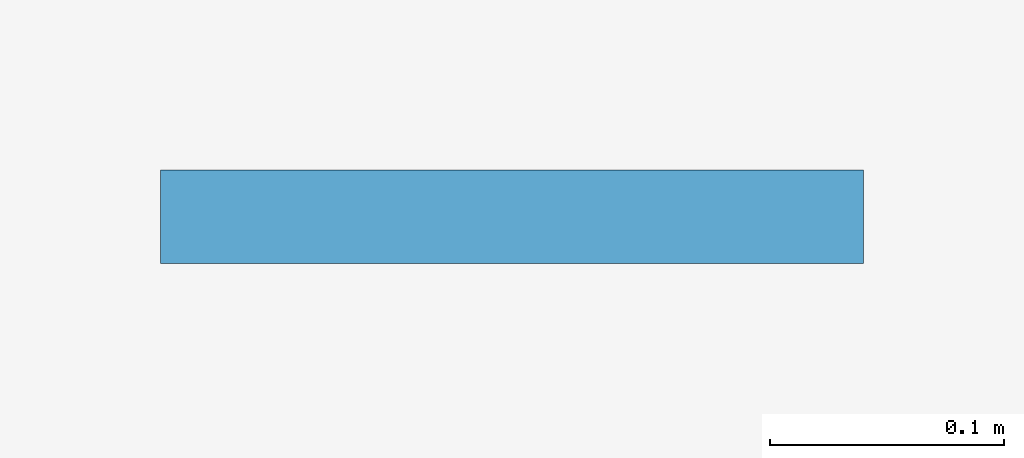
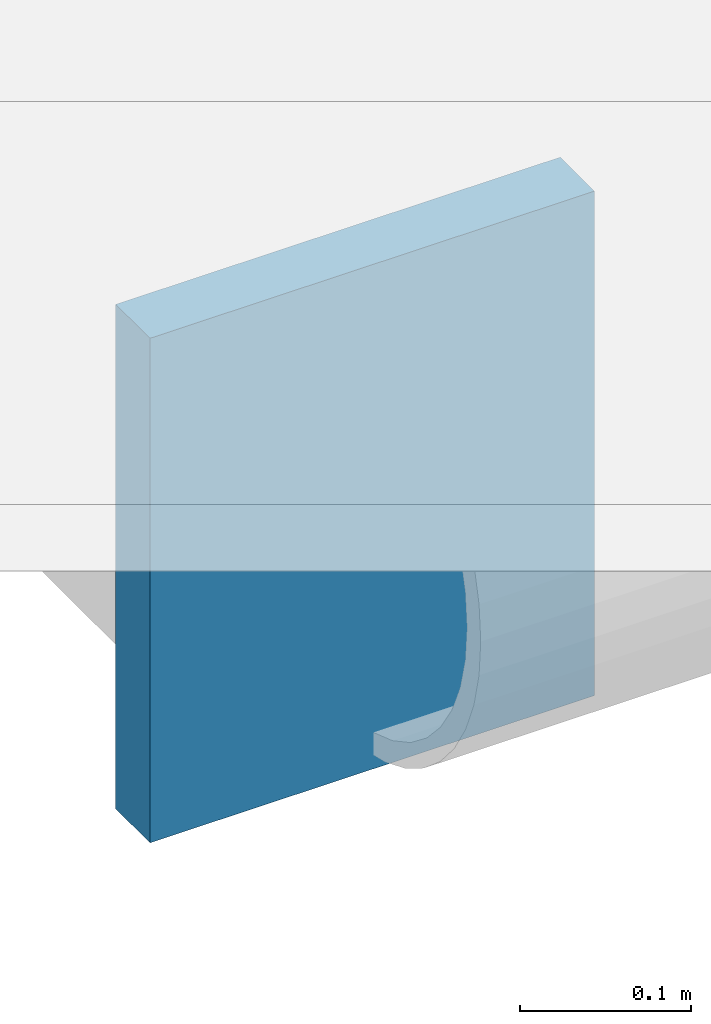
# One storey, part 19 of 28: 1 plate.
"""IFC4 building model written with IfcOpenShell, lengths in metres."""

from ifc_helpers import new_model, si_unit, direction, frame, origin, origin_2d, place, context, subcontext, project, spatial, rectangle, extrude, material, layer, layer_set, type_object, element, save


model = new_model("IFC4")

# Units and contexts
model_context = context("Model", 3, precision=1e-05, world=origin(), true_north=direction((0.0, 1.0)))
body_context = subcontext(model_context, "Body", "Model", "MODEL_VIEW")
ifc_project = project(units=[si_unit("LENGTHUNIT", "METRE"), si_unit("AREAUNIT", "SQUARE_METRE"), si_unit("VOLUMEUNIT", "CUBIC_METRE"), si_unit("PLANEANGLEUNIT", "RADIAN"), si_unit("MASSUNIT", "GRAM", prefix="KILO"), si_unit("THERMODYNAMICTEMPERATUREUNIT", "KELVIN"), si_unit("POWERUNIT", "WATT")], contexts=[model_context])

# Site, building, storey
site_placement = place(None, origin())
site = spatial("IfcSite", under=ifc_project, at=site_placement, CompositionType="ELEMENT")
building_placement = place(site_placement, origin())
building = spatial("IfcBuilding", under=site, at=building_placement, Name="Svarakhadi Broadcast Tower", CompositionType="ELEMENT")
storey_placement = place(building_placement, frame((0.0, 0.0, 134.39990234375)))
storey = spatial("IfcBuildingStorey", under=building, at=storey_placement, Name="L32", CompositionType="ELEMENT", Elevation=134.39990234375)

# Plate
ifc_material = material(Name="Steel S460ML (IS 2062 E450BR)", Category="steel")
ifc_layer = layer(ifc_material, 0.028076171875)
ifc_layer_set = layer_set([ifc_layer], Name="Steel S460ML (IS 2062 E450BR)")
plate_type = type_object("IfcPlateType", Name="Cap_Plate_CP02", PredefinedType="USERDEFINED", material=ifc_layer_set)
plate_placement = place(storey_placement, frame((-1.800048828125, 29.135009765625, -0.55517578125), z_axis=(0.0, 0.0, 1.0), x_axis=(1.0, 0.0, 0.0)))
element("IfcPlate", 1, at=plate_placement, inside=storey, type_object=plate_type, Name="L32 Balcony Spandrel End Cap Plate 2F-A", ObjectType="FLANGE_PLATE", PredefinedType="USERDEFINED", context=body_context, shape_type="SweptSolid", body=[
    extrude(rectangle(XDim=0.300048828125, YDim=0.0400390625, at=origin_2d()), origin(), (0.0, 0.0, 1.0), 0.360107421875),
])

save(model, "model.ifc")
